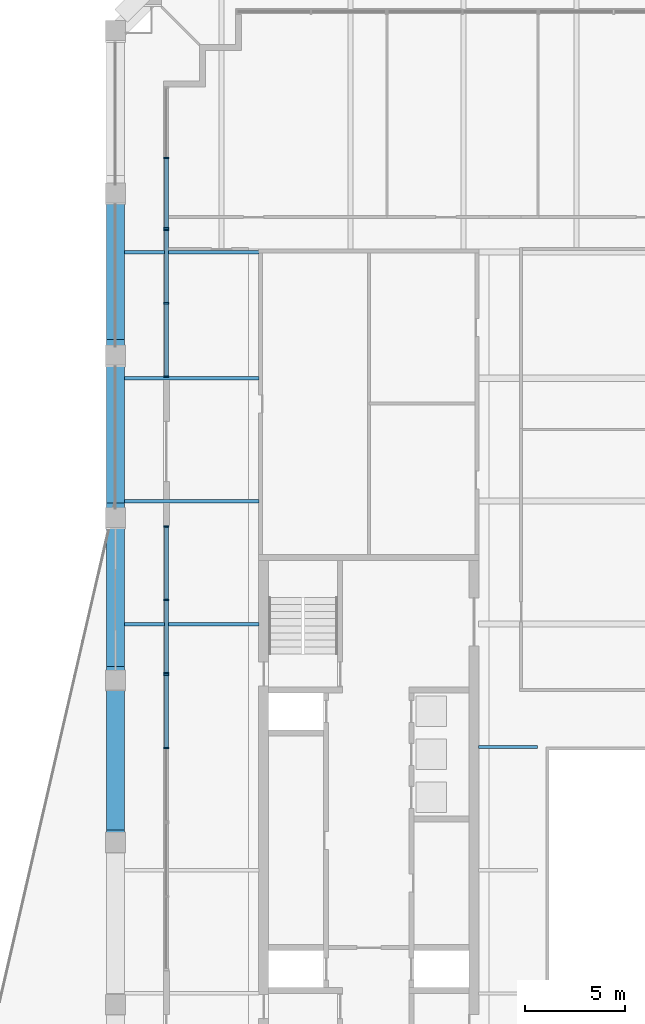
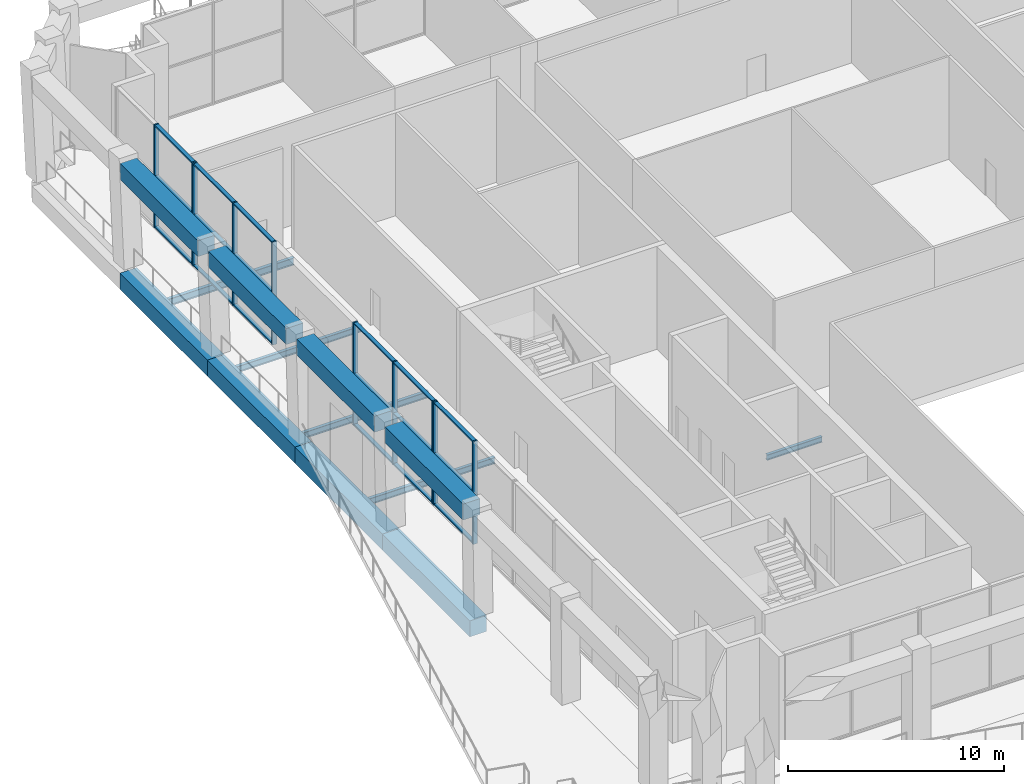
# One storey, part 4 of 20: 28 members, 13 beams, 4 elements without a shape of their own.
"""IFC4 building model written with IfcOpenShell, lengths in metres."""

from ifc_helpers import new_model, si_unit, direction, frame, origin, origin_2d, place, context, subcontext, project, spatial, rectangle, i_section, extrude, material, material_profile, profile_set, type_object, element, aggregate, save


model = new_model("IFC4")

# Units and contexts
model_context = context("Model", 3, precision=1e-05, world=origin(), true_north=direction((0.0, 1.0)))
body_context = subcontext(model_context, "Body", "Model", "MODEL_VIEW")
ifc_project = project(units=[si_unit("LENGTHUNIT", "METRE"), si_unit("AREAUNIT", "SQUARE_METRE"), si_unit("VOLUMEUNIT", "CUBIC_METRE"), si_unit("PLANEANGLEUNIT", "RADIAN"), si_unit("MASSUNIT", "GRAM", prefix="KILO")], contexts=[model_context])

# Site, building, storey
site_placement = place(None, origin())
site = spatial("IfcSite", under=ifc_project, at=site_placement, CompositionType="ELEMENT")
building_placement = place(site_placement, origin())
building = spatial("IfcBuilding", under=site, at=building_placement, Name="Ogive Exchange Tower", CompositionType="ELEMENT")
storey_placement = place(building_placement, frame((0.0, 0.0, 303.0)))
storey = spatial("IfcBuildingStorey", under=building, at=storey_placement, Name="L66", CompositionType="ELEMENT", Elevation=303.0)

# Beams
ifc_material_1 = material(Name="Steel ASTM A992 Gr50", Category="steel")
ifc_material_profile_1 = material_profile(ifc_material_1, i_section(OverallWidth=0.1708984375, OverallDepth=0.35595703125, WebThickness=0.00732421875, FlangeThickness=0.01171875, at=origin_2d()), Name="W360x51")
ifc_profile_set_1 = profile_set([ifc_material_profile_1], Name="Steel ASTM A992 Gr50")
beam_type_1 = type_object("IfcBeamType", Name="Floor beam W360x51", PredefinedType="JOIST", material=ifc_profile_set_1)
for number, where, z_axis, x_axis, name in (
    (1, (-28.199951171875, 22.288818359375, -0.6279296875), (1.0, 0.0, 0.0), (0.0, 1.0, 0.0), "Floor beam"),
    (2, (-28.199951171875, 28.422607421875, -0.6279296875), (1.0, 0.0, 0.0), (0.0, 1.0, 0.0), "Floor beam"),
    (3, (-28.199951171875, 34.55615234375, -0.6279296875), (1.0, 0.0, 0.0), (0.0, 1.0, 0.0), "Floor beam"),
):
    element("IfcBeam", number, at=place(storey_placement, frame(where, z_axis=z_axis, x_axis=x_axis)), inside=storey, type_object=beam_type_1, Name=name, PredefinedType="JOIST", context=body_context, shape_type="SweptSolid", body=[
        extrude(i_section(OverallWidth=0.1708984375, OverallDepth=0.35595703125, WebThickness=0.00732421875, FlangeThickness=0.01171875, at=origin_2d()), origin(), (0.0, 0.0, 1.0), 6.719970703125),
    ])
ifc_material_profile_2 = material_profile(ifc_material_1, i_section(OverallWidth=0.1650390625, OverallDepth=0.31005859375, WebThickness=0.005859375, FlangeThickness=0.009765625, at=origin_2d()), Name="W310x38.7")
ifc_profile_set_2 = profile_set([ifc_material_profile_2], Name="Steel ASTM A992 Gr50")
beam_type_2 = type_object("IfcBeamType", Name="Girder W310x38.7", PredefinedType="BEAM", material=ifc_profile_set_2)
beam_1_placement = place(storey_placement, frame((-10.52001953125, 16.155029296875, -0.60498046875), z_axis=(1.0, 0.0, 0.0), x_axis=(0.0, 1.0, 0.0)))
element("IfcBeam", 4, at=beam_1_placement, inside=storey, type_object=beam_type_2, Name="Trimmer girder", PredefinedType="BEAM", context=body_context, shape_type="SweptSolid", body=[
    extrude(i_section(OverallWidth=0.1650390625, OverallDepth=0.31005859375, WebThickness=0.005859375, FlangeThickness=0.009765625, at=origin_2d()), origin(), (0.0, 0.0, 1.0), 2.949951171875),
])
ifc_material_profile_3 = material_profile(ifc_material_1, i_section(OverallWidth=0.177978515625, OverallDepth=0.406005859375, WebThickness=0.0078125, FlangeThickness=0.0126953125, at=origin_2d()), Name="W410x60")
ifc_profile_set_3 = profile_set([ifc_material_profile_3], Name="Steel ASTM A992 Gr50")
beam_type_3 = type_object("IfcBeamType", Name="Girder W410x60", PredefinedType="BEAM", material=ifc_profile_set_3)
beam_2_placement = place(storey_placement, frame((-28.199951171875, 40.844970703125, -0.653076171875), z_axis=(1.0, 0.0, 0.0), x_axis=(0.0, 1.0, 0.0)))
element("IfcBeam", 5, at=beam_2_placement, inside=storey, type_object=beam_type_3, Name="Header girder", PredefinedType="BEAM", context=body_context, shape_type="SweptSolid", body=[
    extrude(i_section(OverallWidth=0.177978515625, OverallDepth=0.406005859375, WebThickness=0.0078125, FlangeThickness=0.0126953125, at=origin_2d()), origin(), (0.0, 0.0, 1.0), 6.719970703125),
])
ifc_material_2 = material(Name="Precast concrete C70/85 (limestone faced)", Category="masonry")
ifc_material_profile_4 = material_profile(ifc_material_2, rectangle(XDim=0.89990234375, YDim=0.89990234375, at=origin_2d()), Name="900 x 900")
ifc_profile_set_4 = profile_set([ifc_material_profile_4], Name="Precast concrete C70/85 (limestone faced)")
beam_type_4 = type_object("IfcBeamType", Name="Precast spandrel 900 x 900 C70/85", PredefinedType="SPANDREL", material=ifc_profile_set_4)
for number, where, z_axis, x_axis, name in (
    (6, (-28.64990234375, 43.701904296875, 5.300048828125), (0.0, -1.0, 0.0), (1.0, 0.0, 0.0), "Spandrel 27"),
    (7, (-28.64990234375, 35.5380859375, 5.300048828125), (0.0, -1.0, 0.0), (1.0, 0.0, 0.0), "Spandrel 28"),
    (8, (-28.64990234375, 27.37451171875, 5.300048828125), (0.0, -1.0, 0.0), (1.0, 0.0, 0.0), "Spandrel 29"),
    (9, (-28.64990234375, 19.2109375, 5.300048828125), (0.0, -1.0, 0.0), (1.0, 0.0, 0.0), "Spandrel 30"),
):
    element("IfcBeam", number, at=place(storey_placement, frame(where, z_axis=z_axis, x_axis=x_axis)), inside=storey, type_object=beam_type_4, Name=name, PredefinedType="SPANDREL", context=body_context, shape_type="SweptSolid", body=[
        extrude(rectangle(XDim=0.89990234375, YDim=0.89990234375, at=origin_2d()), origin(), (0.0, 0.0, 1.0), 7.20361328125),
    ])
ifc_material_profile_5 = material_profile(ifc_material_2, rectangle(XDim=0.89990234375, YDim=0.89990234375, at=origin_2d()), Name="900 x 900")
ifc_profile_set_5 = profile_set([ifc_material_profile_5], Name="Precast concrete C70/85 (limestone faced)")
beam_type_5 = type_object("IfcBeamType", Name="Precast transfer girder 900 x 900 C70/85", PredefinedType="BEAM", material=ifc_profile_set_5)
for number, where, z_axis, x_axis, name in (
    (10, (-28.64990234375, 43.71435546875, -0.89990234375), (0.0, -1.0, 0.0), (1.0, 0.0, 0.0), "Transfer girder 27"),
    (11, (-28.64990234375, 35.628662109375, -0.89990234375), (0.0, -1.0, 0.0), (1.0, 0.0, 0.0), "Transfer girder 28"),
):
    element("IfcBeam", number, at=place(storey_placement, frame(where, z_axis=z_axis, x_axis=x_axis)), inside=storey, type_object=beam_type_5, Name=name, PredefinedType="BEAM", context=body_context, shape_type="SweptSolid", body=[
        extrude(rectangle(XDim=0.89990234375, YDim=0.89990234375, at=origin_2d()), origin(), (0.0, 0.0, 1.0), 8.085693359375),
    ])
beam_3_placement = place(storey_placement, frame((-28.64990234375, 27.54296875, -0.89990234375), z_axis=(0.0, -1.0, 0.0), x_axis=(1.0, 0.0, 0.0)))
element("IfcBeam", 12, at=beam_3_placement, inside=storey, type_object=beam_type_5, Name="Transfer girder 29", PredefinedType="BEAM", context=body_context, shape_type="SweptSolid", body=[
    extrude(rectangle(XDim=0.89990234375, YDim=0.89990234375, at=origin_2d()), origin(), (0.0, 0.0, 1.0), 8.0859375),
])
beam_4_placement = place(storey_placement, frame((-28.64990234375, 19.45703125, -0.89990234375), z_axis=(0.0, -1.0, 0.0), x_axis=(1.0, 0.0, 0.0)))
element("IfcBeam", 13, at=beam_4_placement, inside=storey, type_object=beam_type_5, Name="Transfer girder 30", PredefinedType="BEAM", context=body_context, shape_type="SweptSolid", body=[
    extrude(rectangle(XDim=0.89990234375, YDim=0.89990234375, at=origin_2d()), origin(), (0.0, 0.0, 1.0), 8.085693359375),
])

# Curtain wall, members
ifc_material_3 = material(Name="Anodised aluminium and clear glass", Category="aluminium")
curtain_wall_type = type_object("IfcCurtainWallType", Name="Winter garden glazing", PredefinedType="NOTDEFINED", material=ifc_material_3)
curtain_wall_1_placement = place(storey_placement, origin())
curtain_wall_1 = element("IfcCurtainWall", 14, at=curtain_wall_1_placement, inside=storey, type_object=curtain_wall_type, Name="Winter garden glazing run G20", PredefinedType="NOTDEFINED")
ifc_material_4 = material(Name="Anodised aluminium", Category="aluminium")
ifc_material_profile_6 = material_profile(ifc_material_4, rectangle(XDim=0.239990234375, YDim=0.080078125, at=origin_2d()), Name="AL 80x240")
ifc_profile_set_6 = profile_set([ifc_material_profile_6], Name="Anodised aluminium")
member_type_1 = type_object("IfcMemberType", Name="Winter garden glazing mullion 80 x 240", PredefinedType="MULLION", material=ifc_profile_set_6)
member_1_placement = place(storey_placement, frame((-26.10009765625, 45.550048828125, 0.0), z_axis=(0.0, 0.0, 1.0), x_axis=(1.0, 0.0, 0.0)))
member_1 = element("IfcMember", 15, at=member_1_placement, type_object=member_type_1, Name="G20 mullion 2", PredefinedType="MULLION", context=body_context, shape_type="SweptSolid", body=[
    extrude(rectangle(XDim=0.239990234375, YDim=0.080078125, at=origin_2d()), origin(), (0.0, 0.0, 1.0), 5.800048828125),
])
member_2_placement = place(storey_placement, frame((-26.10009765625, 42.0400390625, 0.0), z_axis=(0.0, 0.0, 1.0), x_axis=(1.0, 0.0, 0.0)))
member_2 = element("IfcMember", 16, at=member_2_placement, type_object=member_type_1, Name="G20 mullion 3", PredefinedType="MULLION", context=body_context, shape_type="SweptSolid", body=[
    extrude(rectangle(XDim=0.239990234375, YDim=0.080078125, at=origin_2d()), origin(), (0.0, 0.0, 1.0), 5.800048828125),
])

curtain_wall_2_placement = place(storey_placement, origin())
curtain_wall_2 = element("IfcCurtainWall", 17, at=curtain_wall_2_placement, inside=storey, type_object=curtain_wall_type, Name="Winter garden glazing run G21", PredefinedType="NOTDEFINED")
member_3_placement = place(storey_placement, frame((-26.10009765625, 41.9599609375, 0.0), z_axis=(0.0, 0.0, 1.0), x_axis=(1.0, 0.0, 0.0)))
member_3 = element("IfcMember", 18, at=member_3_placement, type_object=member_type_1, Name="G21 mullion 1", PredefinedType="MULLION", context=body_context, shape_type="SweptSolid", body=[
    extrude(rectangle(XDim=0.239990234375, YDim=0.080078125, at=origin_2d()), origin(), (0.0, 0.0, 1.0), 5.800048828125),
])
member_4_placement = place(storey_placement, frame((-26.10009765625, 38.300048828125, 0.0), z_axis=(0.0, 0.0, 1.0), x_axis=(1.0, 0.0, 0.0)))
member_4 = element("IfcMember", 19, at=member_4_placement, type_object=member_type_1, Name="G21 mullion 2", PredefinedType="MULLION", context=body_context, shape_type="SweptSolid", body=[
    extrude(rectangle(XDim=0.239990234375, YDim=0.080078125, at=origin_2d()), origin(), (0.0, 0.0, 1.0), 5.800048828125),
])
member_5_placement = place(storey_placement, frame((-26.10009765625, 34.639892578125, 0.0), z_axis=(0.0, 0.0, 1.0), x_axis=(1.0, 0.0, 0.0)))
member_5 = element("IfcMember", 20, at=member_5_placement, type_object=member_type_1, Name="G21 mullion 3", PredefinedType="MULLION", context=body_context, shape_type="SweptSolid", body=[
    extrude(rectangle(XDim=0.239990234375, YDim=0.080078125, at=origin_2d()), origin(), (0.0, 0.0, 1.0), 5.800048828125),
])

curtain_wall_3_placement = place(storey_placement, origin())
curtain_wall_3 = element("IfcCurtainWall", 21, at=curtain_wall_3_placement, inside=storey, type_object=curtain_wall_type, Name="Winter garden glazing run G23", PredefinedType="NOTDEFINED")
member_6_placement = place(storey_placement, frame((-26.10009765625, 27.159912109375, 0.0), z_axis=(0.0, 0.0, 1.0), x_axis=(1.0, 0.0, 0.0)))
member_6 = element("IfcMember", 22, at=member_6_placement, type_object=member_type_1, Name="G23 mullion 1", PredefinedType="MULLION", context=body_context, shape_type="SweptSolid", body=[
    extrude(rectangle(XDim=0.239990234375, YDim=0.080078125, at=origin_2d()), origin(), (0.0, 0.0, 1.0), 5.800048828125),
])
member_7_placement = place(storey_placement, frame((-26.10009765625, 23.5, 0.0), z_axis=(0.0, 0.0, 1.0), x_axis=(1.0, 0.0, 0.0)))
member_7 = element("IfcMember", 23, at=member_7_placement, type_object=member_type_1, Name="G23 mullion 2", PredefinedType="MULLION", context=body_context, shape_type="SweptSolid", body=[
    extrude(rectangle(XDim=0.239990234375, YDim=0.080078125, at=origin_2d()), origin(), (0.0, 0.0, 1.0), 5.800048828125),
])
member_8_placement = place(storey_placement, frame((-26.10009765625, 19.840087890625, 0.0), z_axis=(0.0, 0.0, 1.0), x_axis=(1.0, 0.0, 0.0)))
member_8 = element("IfcMember", 24, at=member_8_placement, type_object=member_type_1, Name="G23 mullion 3", PredefinedType="MULLION", context=body_context, shape_type="SweptSolid", body=[
    extrude(rectangle(XDim=0.239990234375, YDim=0.080078125, at=origin_2d()), origin(), (0.0, 0.0, 1.0), 5.800048828125),
])

curtain_wall_4_placement = place(storey_placement, origin())
curtain_wall_4 = element("IfcCurtainWall", 25, at=curtain_wall_4_placement, inside=storey, type_object=curtain_wall_type, Name="Winter garden glazing run G24", PredefinedType="NOTDEFINED")
member_9_placement = place(storey_placement, frame((-26.10009765625, 19.760009765625, 0.0), z_axis=(0.0, 0.0, 1.0), x_axis=(1.0, 0.0, 0.0)))
member_9 = element("IfcMember", 26, at=member_9_placement, type_object=member_type_1, Name="G24 mullion 1", PredefinedType="MULLION", context=body_context, shape_type="SweptSolid", body=[
    extrude(rectangle(XDim=0.239990234375, YDim=0.080078125, at=origin_2d()), origin(), (0.0, 0.0, 1.0), 5.800048828125),
])
member_10_placement = place(storey_placement, frame((-26.10009765625, 16.10009765625, 0.0), z_axis=(0.0, 0.0, 1.0), x_axis=(1.0, 0.0, 0.0)))
member_10 = element("IfcMember", 27, at=member_10_placement, type_object=member_type_1, Name="G24 mullion 2", PredefinedType="MULLION", context=body_context, shape_type="SweptSolid", body=[
    extrude(rectangle(XDim=0.239990234375, YDim=0.080078125, at=origin_2d()), origin(), (0.0, 0.0, 1.0), 5.800048828125),
])

# Member
ifc_material_profile_7 = material_profile(ifc_material_4, rectangle(XDim=0.199951171875, YDim=0.080078125, at=origin_2d()), Name="AL 80x200")
ifc_profile_set_7 = profile_set([ifc_material_profile_7], Name="Anodised aluminium")
member_type_2 = type_object("IfcMemberType", Name="Winter garden glazing transom 80 x 200", PredefinedType="USERDEFINED", material=ifc_profile_set_7)
member_11_placement = place(storey_placement, frame((-26.10009765625, 45.510009765625, 0.0400390625), z_axis=(0.0, -1.0, 0.0), x_axis=(1.0, 0.0, 0.0)))
member_11 = element("IfcMember", 28, at=member_11_placement, type_object=member_type_2, Name="G20 transom 2.1", ObjectType="TRANSOM", PredefinedType="USERDEFINED", context=body_context, shape_type="SweptSolid", body=[
    extrude(rectangle(XDim=0.199951171875, YDim=0.080078125, at=origin_2d()), origin(), (0.0, 0.0, 1.0), 3.429931640625),
])

member_12_placement = place(storey_placement, frame((-26.10009765625, 45.510009765625, 2.89990234375), z_axis=(0.0, -1.0, 0.0), x_axis=(1.0, 0.0, 0.0)))
member_12 = element("IfcMember", 29, at=member_12_placement, type_object=member_type_2, Name="G20 transom 2.2", ObjectType="TRANSOM", PredefinedType="USERDEFINED", context=body_context, shape_type="SweptSolid", body=[
    extrude(rectangle(XDim=0.199951171875, YDim=0.080078125, at=origin_2d()), origin(), (0.0, 0.0, 1.0), 3.429931640625),
])

member_13_placement = place(storey_placement, frame((-26.10009765625, 45.510009765625, 5.760009765625), z_axis=(0.0, -1.0, 0.0), x_axis=(1.0, 0.0, 0.0)))
member_13 = element("IfcMember", 30, at=member_13_placement, type_object=member_type_2, Name="G20 transom 2.3", ObjectType="TRANSOM", PredefinedType="USERDEFINED", context=body_context, shape_type="SweptSolid", body=[
    extrude(rectangle(XDim=0.199951171875, YDim=0.080078125, at=origin_2d()), origin(), (0.0, 0.0, 1.0), 3.429931640625),
])

aggregate(curtain_wall_1, [member_1, member_2, member_11, member_12, member_13])

member_14_placement = place(storey_placement, frame((-26.10009765625, 41.919921875, 0.0400390625), z_axis=(0.0, -1.0, 0.0), x_axis=(1.0, 0.0, 0.0)))
member_14 = element("IfcMember", 31, at=member_14_placement, type_object=member_type_2, Name="G21 transom 1.1", ObjectType="TRANSOM", PredefinedType="USERDEFINED", context=body_context, shape_type="SweptSolid", body=[
    extrude(rectangle(XDim=0.199951171875, YDim=0.080078125, at=origin_2d()), origin(), (0.0, 0.0, 1.0), 3.579833984375),
])

member_15_placement = place(storey_placement, frame((-26.10009765625, 41.919921875, 2.89990234375), z_axis=(0.0, -1.0, 0.0), x_axis=(1.0, 0.0, 0.0)))
member_15 = element("IfcMember", 32, at=member_15_placement, type_object=member_type_2, Name="G21 transom 1.2", ObjectType="TRANSOM", PredefinedType="USERDEFINED", context=body_context, shape_type="SweptSolid", body=[
    extrude(rectangle(XDim=0.199951171875, YDim=0.080078125, at=origin_2d()), origin(), (0.0, 0.0, 1.0), 3.579833984375),
])

member_16_placement = place(storey_placement, frame((-26.10009765625, 41.919921875, 5.760009765625), z_axis=(0.0, -1.0, 0.0), x_axis=(1.0, 0.0, 0.0)))
member_16 = element("IfcMember", 33, at=member_16_placement, type_object=member_type_2, Name="G21 transom 1.3", ObjectType="TRANSOM", PredefinedType="USERDEFINED", context=body_context, shape_type="SweptSolid", body=[
    extrude(rectangle(XDim=0.199951171875, YDim=0.080078125, at=origin_2d()), origin(), (0.0, 0.0, 1.0), 3.579833984375),
])

member_17_placement = place(storey_placement, frame((-26.10009765625, 38.260009765625, 0.0400390625), z_axis=(0.0, -1.0, 0.0), x_axis=(1.0, 0.0, 0.0)))
member_17 = element("IfcMember", 34, at=member_17_placement, type_object=member_type_2, Name="G21 transom 2.1", ObjectType="TRANSOM", PredefinedType="USERDEFINED", context=body_context, shape_type="SweptSolid", body=[
    extrude(rectangle(XDim=0.199951171875, YDim=0.080078125, at=origin_2d()), origin(), (0.0, 0.0, 1.0), 3.580078125),
])

member_18_placement = place(storey_placement, frame((-26.10009765625, 38.260009765625, 2.89990234375), z_axis=(0.0, -1.0, 0.0), x_axis=(1.0, 0.0, 0.0)))
member_18 = element("IfcMember", 35, at=member_18_placement, type_object=member_type_2, Name="G21 transom 2.2", ObjectType="TRANSOM", PredefinedType="USERDEFINED", context=body_context, shape_type="SweptSolid", body=[
    extrude(rectangle(XDim=0.199951171875, YDim=0.080078125, at=origin_2d()), origin(), (0.0, 0.0, 1.0), 3.580078125),
])

member_19_placement = place(storey_placement, frame((-26.10009765625, 38.260009765625, 5.760009765625), z_axis=(0.0, -1.0, 0.0), x_axis=(1.0, 0.0, 0.0)))
member_19 = element("IfcMember", 36, at=member_19_placement, type_object=member_type_2, Name="G21 transom 2.3", ObjectType="TRANSOM", PredefinedType="USERDEFINED", context=body_context, shape_type="SweptSolid", body=[
    extrude(rectangle(XDim=0.199951171875, YDim=0.080078125, at=origin_2d()), origin(), (0.0, 0.0, 1.0), 3.580078125),
])

aggregate(curtain_wall_2, [member_3, member_4, member_5, member_14, member_15, member_16, member_17, member_18, member_19])

member_20_placement = place(storey_placement, frame((-26.10009765625, 27.1201171875, 0.0400390625), z_axis=(0.0, -1.0, 0.0), x_axis=(1.0, 0.0, 0.0)))
member_20 = element("IfcMember", 37, at=member_20_placement, type_object=member_type_2, Name="G23 transom 1.1", ObjectType="TRANSOM", PredefinedType="USERDEFINED", context=body_context, shape_type="SweptSolid", body=[
    extrude(rectangle(XDim=0.199951171875, YDim=0.080078125, at=origin_2d()), origin(), (0.0, 0.0, 1.0), 3.580078125),
])

member_21_placement = place(storey_placement, frame((-26.10009765625, 27.1201171875, 2.89990234375), z_axis=(0.0, -1.0, 0.0), x_axis=(1.0, 0.0, 0.0)))
member_21 = element("IfcMember", 38, at=member_21_placement, type_object=member_type_2, Name="G23 transom 1.2", ObjectType="TRANSOM", PredefinedType="USERDEFINED", context=body_context, shape_type="SweptSolid", body=[
    extrude(rectangle(XDim=0.199951171875, YDim=0.080078125, at=origin_2d()), origin(), (0.0, 0.0, 1.0), 3.580078125),
])

member_22_placement = place(storey_placement, frame((-26.10009765625, 27.1201171875, 5.760009765625), z_axis=(0.0, -1.0, 0.0), x_axis=(1.0, 0.0, 0.0)))
member_22 = element("IfcMember", 39, at=member_22_placement, type_object=member_type_2, Name="G23 transom 1.3", ObjectType="TRANSOM", PredefinedType="USERDEFINED", context=body_context, shape_type="SweptSolid", body=[
    extrude(rectangle(XDim=0.199951171875, YDim=0.080078125, at=origin_2d()), origin(), (0.0, 0.0, 1.0), 3.580078125),
])

member_23_placement = place(storey_placement, frame((-26.10009765625, 23.4599609375, 0.0400390625), z_axis=(0.0, -1.0, 0.0), x_axis=(1.0, 0.0, 0.0)))
member_23 = element("IfcMember", 40, at=member_23_placement, type_object=member_type_2, Name="G23 transom 2.1", ObjectType="TRANSOM", PredefinedType="USERDEFINED", context=body_context, shape_type="SweptSolid", body=[
    extrude(rectangle(XDim=0.199951171875, YDim=0.080078125, at=origin_2d()), origin(), (0.0, 0.0, 1.0), 3.580078125),
])

member_24_placement = place(storey_placement, frame((-26.10009765625, 23.4599609375, 2.89990234375), z_axis=(0.0, -1.0, 0.0), x_axis=(1.0, 0.0, 0.0)))
member_24 = element("IfcMember", 41, at=member_24_placement, type_object=member_type_2, Name="G23 transom 2.2", ObjectType="TRANSOM", PredefinedType="USERDEFINED", context=body_context, shape_type="SweptSolid", body=[
    extrude(rectangle(XDim=0.199951171875, YDim=0.080078125, at=origin_2d()), origin(), (0.0, 0.0, 1.0), 3.580078125),
])

member_25_placement = place(storey_placement, frame((-26.10009765625, 23.4599609375, 5.760009765625), z_axis=(0.0, -1.0, 0.0), x_axis=(1.0, 0.0, 0.0)))
member_25 = element("IfcMember", 42, at=member_25_placement, type_object=member_type_2, Name="G23 transom 2.3", ObjectType="TRANSOM", PredefinedType="USERDEFINED", context=body_context, shape_type="SweptSolid", body=[
    extrude(rectangle(XDim=0.199951171875, YDim=0.080078125, at=origin_2d()), origin(), (0.0, 0.0, 1.0), 3.580078125),
])

aggregate(curtain_wall_3, [member_6, member_7, member_8, member_20, member_21, member_22, member_23, member_24, member_25])

member_26_placement = place(storey_placement, frame((-26.10009765625, 19.719970703125, 0.0400390625), z_axis=(0.0, -1.0, 0.0), x_axis=(1.0, 0.0, 0.0)))
member_26 = element("IfcMember", 43, at=member_26_placement, type_object=member_type_2, Name="G24 transom 1.1", ObjectType="TRANSOM", PredefinedType="USERDEFINED", context=body_context, shape_type="SweptSolid", body=[
    extrude(rectangle(XDim=0.199951171875, YDim=0.080078125, at=origin_2d()), origin(), (0.0, 0.0, 1.0), 3.580078125),
])

member_27_placement = place(storey_placement, frame((-26.10009765625, 19.719970703125, 2.89990234375), z_axis=(0.0, -1.0, 0.0), x_axis=(1.0, 0.0, 0.0)))
member_27 = element("IfcMember", 44, at=member_27_placement, type_object=member_type_2, Name="G24 transom 1.2", ObjectType="TRANSOM", PredefinedType="USERDEFINED", context=body_context, shape_type="SweptSolid", body=[
    extrude(rectangle(XDim=0.199951171875, YDim=0.080078125, at=origin_2d()), origin(), (0.0, 0.0, 1.0), 3.580078125),
])

member_28_placement = place(storey_placement, frame((-26.10009765625, 19.719970703125, 5.760009765625), z_axis=(0.0, -1.0, 0.0), x_axis=(1.0, 0.0, 0.0)))
member_28 = element("IfcMember", 45, at=member_28_placement, type_object=member_type_2, Name="G24 transom 1.3", ObjectType="TRANSOM", PredefinedType="USERDEFINED", context=body_context, shape_type="SweptSolid", body=[
    extrude(rectangle(XDim=0.199951171875, YDim=0.080078125, at=origin_2d()), origin(), (0.0, 0.0, 1.0), 3.580078125),
])

aggregate(curtain_wall_4, [member_9, member_10, member_26, member_27, member_28])

save(model, "model.ifc")
